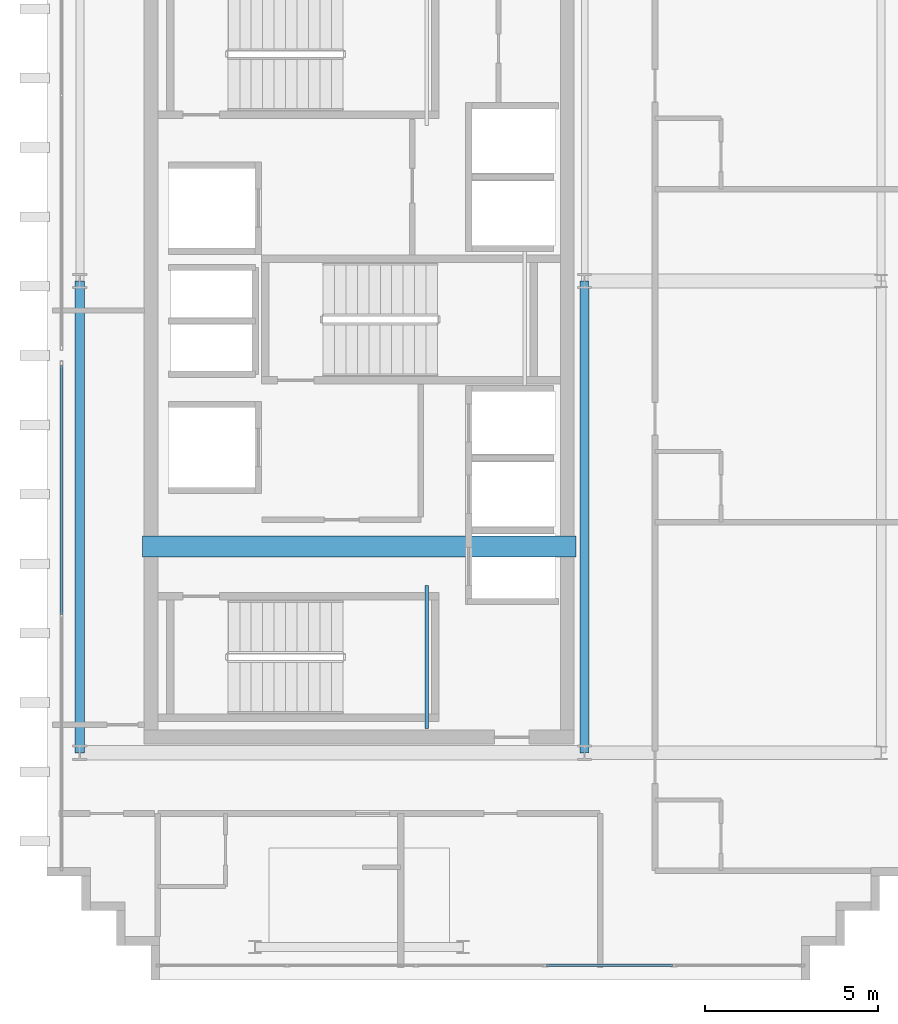
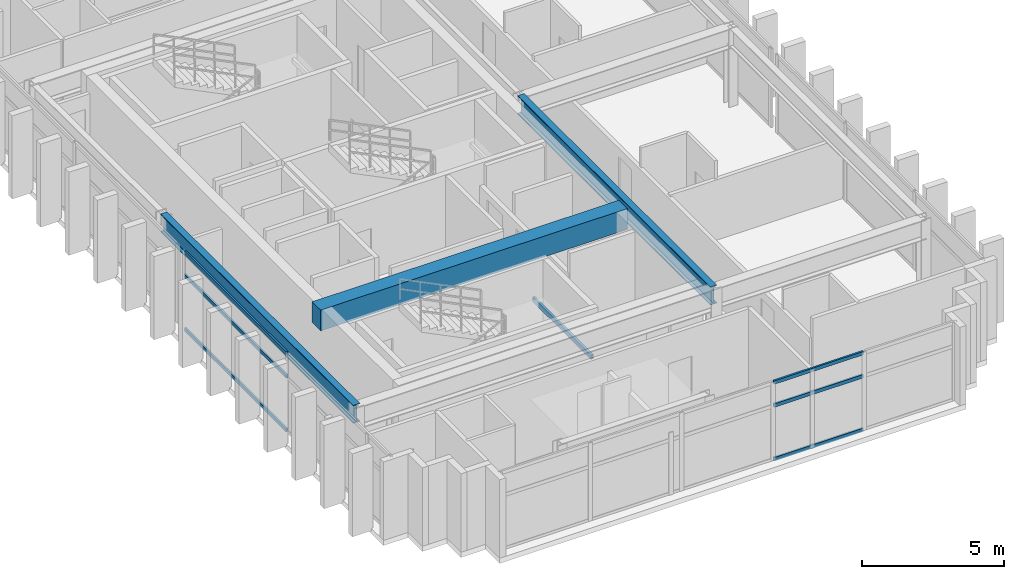
# One storey, part 3 of 15: 6 members, 4 beams, 2 elements without a shape of their own.
"""IFC4 building model written with IfcOpenShell, lengths in metres."""

from ifc_helpers import new_model, si_unit, direction, frame, origin, origin_2d, place, context, subcontext, project, spatial, rectangle, hollow_rectangle, i_section, extrude, source, transform, mapped, material, layer, layer_set, material_profile, profile_set, type_object, element, aggregate, save


model = new_model("IFC4")

# Units and contexts
model_context = context("Model", 3, precision=1e-05, world=origin(), true_north=direction((0.0, 1.0)))
body_context = subcontext(model_context, "Body", "Model", "MODEL_VIEW")
ifc_project = project(units=[si_unit("LENGTHUNIT", "METRE"), si_unit("AREAUNIT", "SQUARE_METRE"), si_unit("VOLUMEUNIT", "CUBIC_METRE"), si_unit("PLANEANGLEUNIT", "RADIAN"), si_unit("MASSUNIT", "GRAM", prefix="KILO")], contexts=[model_context])

# Site, building, storey
site_placement = place(None, origin())
site = spatial("IfcSite", under=ifc_project, at=site_placement, CompositionType="ELEMENT")
building_placement = place(site_placement, origin())
building = spatial("IfcBuilding", under=site, at=building_placement, Name="Ocotamira Hotel", CompositionType="ELEMENT")
storey_placement = place(building_placement, frame((0.0, 0.0, 279.60009765625)))
storey = spatial("IfcBuildingStorey", under=building, at=storey_placement, Name="L71", CompositionType="ELEMENT", Elevation=279.60009765625)

# Beams
ifc_material_1 = material(Name="Concrete C50/60", Category="concrete")
ifc_material_profile_1 = material_profile(ifc_material_1, rectangle(XDim=0.60009765625, YDim=0.89990234375, at=origin_2d()), Name="RC600X900")
ifc_profile_set_1 = profile_set([ifc_material_profile_1], Name="Concrete C50/60")
beam_type_1 = type_object("IfcBeamType", Name="BM-LINK-RC600", PredefinedType="LINTEL", material=ifc_profile_set_1)
shared_shape_1 = source(origin(), body_context, "Body", "SweptSolid", [
    extrude(rectangle(XDim=0.60009765625, YDim=0.89990234375, at=origin_2d()), origin(), (0.0, 0.0, 1.0), 12.5),
])
beam_1_placement = place(storey_placement, frame((10.75, 20.5, 2.929931640625), z_axis=(1.0, 0.0, 0.0), x_axis=(0.0, 1.0, 0.0)))
element("IfcBeam", 1, at=beam_1_placement, inside=storey, type_object=beam_type_1, Name="L71 West Core Coupling Beam", PredefinedType="LINTEL", context=body_context, shape_type="MappedRepresentation", body=[
    mapped(shared_shape_1, transform((0.0, 0.0, 0.0), scale=1.0)),
])
ifc_material_2 = material(Name="Steel ASTM A500 Grade C", Category="steel")
ifc_material_profile_2 = material_profile(ifc_material_2, hollow_rectangle(XDim=0.10009765625, YDim=0.199951171875, WallThickness=0.008056640625, at=origin_2d()), Name="HSS200X100X8")
ifc_profile_set_2 = profile_set([ifc_material_profile_2], Name="Steel ASTM A500 Grade C")
beam_type_2 = type_object("IfcBeamType", Name="BM-STLDG-HSS200", PredefinedType="BEAM", material=ifc_profile_set_2)
shared_shape_2 = source(origin(), body_context, "Body", "SweptSolid", [
    extrude(hollow_rectangle(XDim=0.10009765625, YDim=0.199951171875, WallThickness=0.008056640625, at=origin_2d()), origin(), (0.0, 0.0, 1.0), 4.1201171875),
])
beam_2_placement = place(storey_placement, frame((18.949951171875, 15.25, 1.5), z_axis=(0.0, 1.0, 0.0), x_axis=(-1.0, 0.0, 0.0)))
element("IfcBeam", 2, at=beam_2_placement, inside=storey, type_object=beam_type_2, Name="L71 Stair ST-1 Landing Bearer 1", PredefinedType="BEAM", context=body_context, shape_type="MappedRepresentation", body=[
    mapped(shared_shape_2, transform((0.0, 0.0, 0.0), scale=1.0)),
])
ifc_material_3 = material(Name="Steel ASTM A992 Grade 50", Category="steel")
ifc_material_profile_3 = material_profile(ifc_material_3, i_section(OverallWidth=0.26611328125, OverallDepth=0.779052734375, WebThickness=0.0166015625, FlangeThickness=0.030029296875, FilletRadius=0.01806640625, at=origin_2d()), Name="W30X148")
ifc_profile_set_3 = profile_set([ifc_material_profile_3], Name="Steel ASTM A992 Grade 50")
beam_type_3 = type_object("IfcBeamType", Name="BM-GIRD-W30X148", PredefinedType="BEAM", material=ifc_profile_set_3)
shared_shape_3 = source(origin(), body_context, "Body", "SweptSolid", [
    extrude(i_section(OverallWidth=0.26611328125, OverallDepth=0.779052734375, WebThickness=0.0166015625, FlangeThickness=0.030029296875, FilletRadius=0.01806640625, at=origin_2d()), origin(), (0.0, 0.0, 1.0), 13.599853515625),
])
for number, where, z_axis, x_axis, name in (
    (3, (8.949951171875, 14.550048828125, 2.990478515625), (0.0, 1.0, 0.0), (-1.0, 0.0, 0.0), "L71 Beam X8.95 Y14.55-28.15"),
    (4, (23.5, 14.550048828125, 2.990478515625), (0.0, 1.0, 0.0), (-1.0, 0.0, 0.0), "L71 Beam X23.5 Y14.55-28.15"),
):
    element("IfcBeam", number, at=place(storey_placement, frame(where, z_axis=z_axis, x_axis=x_axis)), inside=storey, type_object=beam_type_3, Name=name, PredefinedType="BEAM", context=body_context, shape_type="MappedRepresentation", body=[
        mapped(shared_shape_3, transform((0.0, 0.0, 0.0), scale=1.0)),
    ])

# Curtain wall, members
ifc_material_4 = material(Name="Anodised pale-metal aluminium and solar glass", Category="aluminium")
ifc_layer = layer(ifc_material_4, 0.2099609375)
ifc_layer_set = layer_set([ifc_layer], Name="Anodised pale-metal aluminium and solar glass")
curtain_wall_type = type_object("IfcCurtainWallType", Name="CW-SYS7-PEAK", PredefinedType="NOTDEFINED", material=ifc_layer_set)
curtain_wall_1_placement = place(storey_placement, origin())
curtain_wall_1 = element("IfcCurtainWall", 5, at=curtain_wall_1_placement, inside=storey, type_object=curtain_wall_type, Name="L71 Curtain Wall CW-7 CW-L71-W1", PredefinedType="NOTDEFINED")
ifc_material_5 = material(Name="Anodised pale-metal aluminium 6063-T6", Category="aluminium")
ifc_material_profile_4 = material_profile(ifc_material_5, hollow_rectangle(XDim=0.074951171875, YDim=0.14990234375, WallThickness=0.006103515625, at=origin_2d()), Name="HSS150X75X6")
ifc_profile_set_4 = profile_set([ifc_material_profile_4], Name="Anodised pale-metal aluminium 6063-T6")
member_type = type_object("IfcMemberType", Name="CWT-150X75", PredefinedType="USERDEFINED", material=ifc_profile_set_4)
shared_shape_4 = source(origin(), body_context, "Body", "SweptSolid", [
    extrude(hollow_rectangle(XDim=0.074951171875, YDim=0.14990234375, WallThickness=0.006103515625, at=origin_2d()), origin(), (0.0, 0.0, 1.0), 7.179931640625),
])
member_1_placement = place(storey_placement, frame((8.419921875, 18.5400390625, 0.037353515625), z_axis=(0.0, 1.0, 0.0), x_axis=(-1.0, 0.0, 0.0)))
member_1 = element("IfcMember", 6, at=member_1_placement, type_object=member_type, Name="CW-7 transom 2.1", ObjectType="TRANSOM", PredefinedType="USERDEFINED", context=body_context, shape_type="MappedRepresentation", body=[
    mapped(shared_shape_4, transform((0.0, 0.0, 0.0), scale=1.0)),
])
member_2_placement = place(storey_placement, frame((8.419921875, 18.5400390625, 2.349853515625), z_axis=(0.0, 1.0, 0.0), x_axis=(-1.0, 0.0, 0.0)))
member_2 = element("IfcMember", 7, at=member_2_placement, type_object=member_type, Name="CW-7 transom 2.2", ObjectType="TRANSOM", PredefinedType="USERDEFINED", context=body_context, shape_type="MappedRepresentation", body=[
    mapped(shared_shape_4, transform((0.0, 0.0, 0.0), scale=1.0)),
])
member_3_placement = place(storey_placement, frame((8.419921875, 18.5400390625, 3.34228515625), z_axis=(0.0, 1.0, 0.0), x_axis=(-1.0, 0.0, 0.0)))
member_3 = element("IfcMember", 8, at=member_3_placement, type_object=member_type, Name="CW-7 transom 2.3", ObjectType="TRANSOM", PredefinedType="USERDEFINED", context=body_context, shape_type="MappedRepresentation", body=[
    mapped(shared_shape_4, transform((0.0, 0.0, 0.0), scale=1.0)),
])
aggregate(curtain_wall_1, [member_1, member_2, member_3])

curtain_wall_2_placement = place(storey_placement, origin())
curtain_wall_2 = element("IfcCurtainWall", 9, at=curtain_wall_2_placement, inside=storey, type_object=curtain_wall_type, Name="L71 Curtain Wall CW-7 CW-L71-S1", PredefinedType="NOTDEFINED")
shared_shape_5 = source(origin(), body_context, "Body", "SweptSolid", [
    extrude(hollow_rectangle(XDim=0.074951171875, YDim=0.14990234375, WallThickness=0.006103515625, at=origin_2d()), origin(), (0.0, 0.0, 1.0), 3.64013671875),
])
member_4_placement = place(storey_placement, frame((22.39990234375, 8.419921875, 0.037353515625), z_axis=(1.0, 0.0, 0.0), x_axis=(0.0, 1.0, 0.0)))
member_4 = element("IfcMember", 10, at=member_4_placement, type_object=member_type, Name="CW-7 transom 4.1", ObjectType="TRANSOM", PredefinedType="USERDEFINED", context=body_context, shape_type="MappedRepresentation", body=[
    mapped(shared_shape_5, transform((0.0, 0.0, 0.0), scale=1.0)),
])
member_5_placement = place(storey_placement, frame((22.39990234375, 8.419921875, 2.349853515625), z_axis=(1.0, 0.0, 0.0), x_axis=(0.0, 1.0, 0.0)))
member_5 = element("IfcMember", 11, at=member_5_placement, type_object=member_type, Name="CW-7 transom 4.2", ObjectType="TRANSOM", PredefinedType="USERDEFINED", context=body_context, shape_type="MappedRepresentation", body=[
    mapped(shared_shape_5, transform((0.0, 0.0, 0.0), scale=1.0)),
])
member_6_placement = place(storey_placement, frame((22.39990234375, 8.419921875, 3.34228515625), z_axis=(1.0, 0.0, 0.0), x_axis=(0.0, 1.0, 0.0)))
member_6 = element("IfcMember", 12, at=member_6_placement, type_object=member_type, Name="CW-7 transom 4.3", ObjectType="TRANSOM", PredefinedType="USERDEFINED", context=body_context, shape_type="MappedRepresentation", body=[
    mapped(shared_shape_5, transform((0.0, 0.0, 0.0), scale=1.0)),
])
aggregate(curtain_wall_2, [member_4, member_5, member_6])

save(model, "model.ifc")
